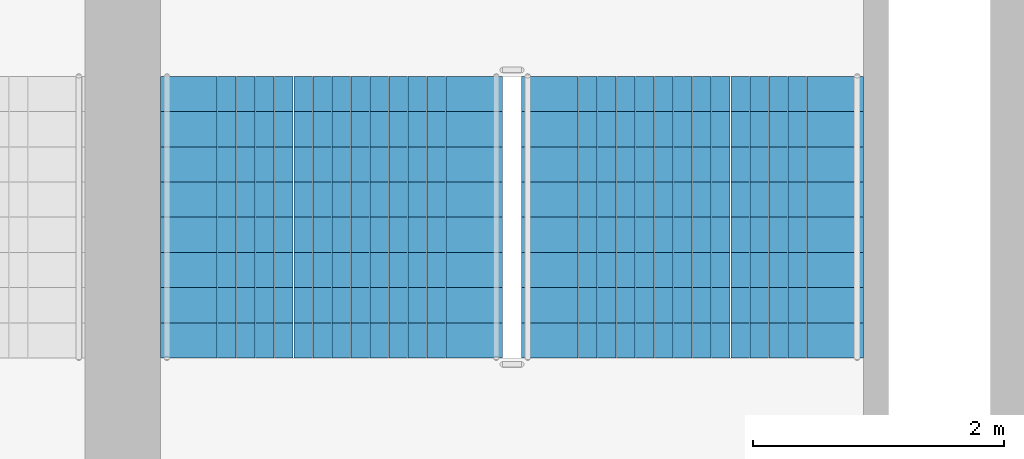
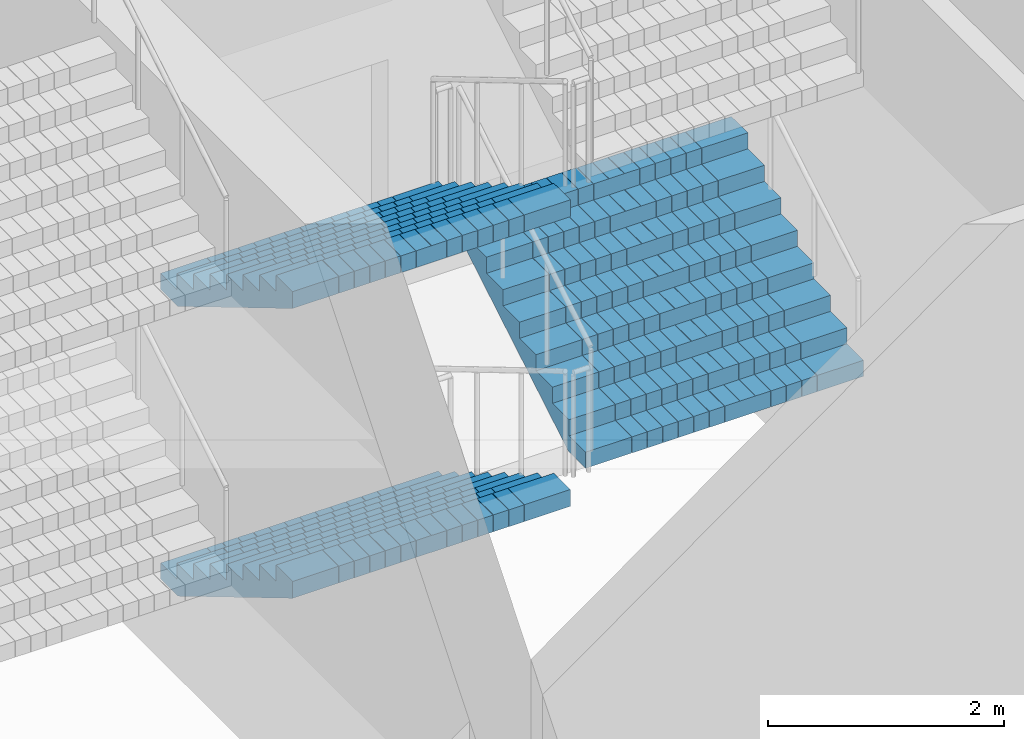
# One storey, part 41 of 61: 3 stair flights, 1 element without a shape of its own.
"""IFC4 building model written with IfcOpenShell, lengths in metres."""

from ifc_helpers import new_model, si_unit, direction, frame, origin, place, context, subcontext, project, spatial, polyline, outline, extrude, material, type_object, element, aggregate, save


model = new_model("IFC4")

# Units and contexts
model_context = context("Model", 3, precision=1e-05, world=origin(), true_north=direction((0.0, 1.0)))
body_context = subcontext(model_context, "Body", "Model", "MODEL_VIEW")
ifc_project = project(units=[si_unit("LENGTHUNIT", "METRE"), si_unit("AREAUNIT", "SQUARE_METRE"), si_unit("VOLUMEUNIT", "CUBIC_METRE"), si_unit("PLANEANGLEUNIT", "RADIAN"), si_unit("MASSUNIT", "GRAM", prefix="KILO")], contexts=[model_context])

# Site, building, storey
site_placement = place(None, origin())
site = spatial("IfcSite", under=ifc_project, at=site_placement, CompositionType="ELEMENT")
building_placement = place(site_placement, origin())
building = spatial("IfcBuilding", under=site, at=building_placement, Name="Corbelhall Arena Tower", CompositionType="ELEMENT")
storey_placement = place(building_placement, frame((0.0, 0.0, 31.0)))
storey = spatial("IfcBuildingStorey", under=building, at=storey_placement, Name="L04", CompositionType="ELEMENT", Elevation=31.0)

# Stair, stair flights
ifc_material = material(Name="Reinforced concrete C40/50", Category="concrete")
stair_type = type_object("IfcStairType", Name="AR-EXIT-STAIR", PredefinedType="HALF_TURN_STAIR", material=ifc_material)
stair_placement = place(storey_placement, origin())
stair = element("IfcStair", 1, at=stair_placement, inside=storey, type_object=stair_type, Name="L04 exit stair AS6", PredefinedType="HALF_TURN_STAIR")
stair_flight_type = type_object("IfcStairFlightType", Name="AR-EXIT-FLIGHT", PredefinedType="STRAIGHT", material=ifc_material)
stair_flight_1_placement = place(storey_placement, frame((42.159912109375, -27.320068359375, 0.0), z_axis=(0.0, 0.0, 1.0), x_axis=(0.0, -1.0, 0.0)))
stair_flight_1 = element("IfcStairFlight", 2, at=stair_flight_1_placement, type_object=stair_flight_type, Name="AS6 flight 1", NumberOfRisers=9, NumberOfTreads=8, PredefinedType="STRAIGHT", RiserHeight=0.166666667, TreadLength=0.28, context=body_context, shape_type="SweptSolid", body=[
    extrude(outline(polyline([(0.0, 0.0), (0.0, 0.166748046875), (0.280029296875, 0.166748046875), (0.280029296875, 0.333251953125), (0.56005859375, 0.333251953125), (0.56005859375, 0.5), (0.840087890625, 0.5), (0.840087890625, 0.666748046875), (1.1201171875, 0.666748046875), (1.1201171875, 0.833251953125), (1.39990234375, 0.833251953125), (1.39990234375, 1.0), (1.679931640625, 1.0), (1.679931640625, 1.166748046875), (1.9599609375, 1.166748046875), (1.9599609375, 1.333251953125), (2.239990234375, 1.333251953125), (2.239990234375, 1.5), (2.239990234375, 1.158935546875), (0.29296875, 0.0), (0.0, 0.0)])), frame((0.0, 1.35986328125, 0.0), z_axis=(0.0, -1.0, 0.0), x_axis=(1.0, 0.0, 0.0)), (0.0, 0.0, 1.0), 0.449951171875),
    extrude(outline(polyline([(0.0, 0.0), (0.0, 0.166748046875), (0.280029296875, 0.166748046875), (0.280029296875, 0.333251953125), (0.56005859375, 0.333251953125), (0.56005859375, 0.5), (0.840087890625, 0.5), (0.840087890625, 0.666748046875), (1.1201171875, 0.666748046875), (1.1201171875, 0.833251953125), (1.39990234375, 0.833251953125), (1.39990234375, 1.0), (1.679931640625, 1.0), (1.679931640625, 1.166748046875), (1.9599609375, 1.166748046875), (1.9599609375, 1.333251953125), (2.239990234375, 1.333251953125), (2.239990234375, 1.5), (2.239990234375, 1.158935546875), (0.29296875, 0.0), (0.0, 0.0)])), frame((0.0, 0.906005859375, 0.0), z_axis=(0.0, -1.0, 0.0), x_axis=(1.0, 0.0, 0.0)), (0.0, 0.0, 1.0), 0.147216796875),
    extrude(outline(polyline([(0.0, 0.0), (0.0, 0.166748046875), (0.280029296875, 0.166748046875), (0.280029296875, 0.333251953125), (0.56005859375, 0.333251953125), (0.56005859375, 0.5), (0.840087890625, 0.5), (0.840087890625, 0.666748046875), (1.1201171875, 0.666748046875), (1.1201171875, 0.833251953125), (1.39990234375, 0.833251953125), (1.39990234375, 1.0), (1.679931640625, 1.0), (1.679931640625, 1.166748046875), (1.9599609375, 1.166748046875), (1.9599609375, 1.333251953125), (2.239990234375, 1.333251953125), (2.239990234375, 1.5), (2.239990234375, 1.158935546875), (0.29296875, 0.0), (0.0, 0.0)])), frame((0.0, 0.754638671875, 0.0), z_axis=(0.0, -1.0, 0.0), x_axis=(1.0, 0.0, 0.0)), (0.0, 0.0, 1.0), 0.147216796875),
    extrude(outline(polyline([(0.0, 0.0), (0.0, 0.166748046875), (0.280029296875, 0.166748046875), (0.280029296875, 0.333251953125), (0.56005859375, 0.333251953125), (0.56005859375, 0.5), (0.840087890625, 0.5), (0.840087890625, 0.666748046875), (1.1201171875, 0.666748046875), (1.1201171875, 0.833251953125), (1.39990234375, 0.833251953125), (1.39990234375, 1.0), (1.679931640625, 1.0), (1.679931640625, 1.166748046875), (1.9599609375, 1.166748046875), (1.9599609375, 1.333251953125), (2.239990234375, 1.333251953125), (2.239990234375, 1.5), (2.239990234375, 1.158935546875), (0.29296875, 0.0), (0.0, 0.0)])), frame((0.0, 0.603271484375, 0.0), z_axis=(0.0, -1.0, 0.0), x_axis=(1.0, 0.0, 0.0)), (0.0, 0.0, 1.0), 0.147216796875),
    extrude(outline(polyline([(0.0, 0.0), (0.0, 0.166748046875), (0.280029296875, 0.166748046875), (0.280029296875, 0.333251953125), (0.56005859375, 0.333251953125), (0.56005859375, 0.5), (0.840087890625, 0.5), (0.840087890625, 0.666748046875), (1.1201171875, 0.666748046875), (1.1201171875, 0.833251953125), (1.39990234375, 0.833251953125), (1.39990234375, 1.0), (1.679931640625, 1.0), (1.679931640625, 1.166748046875), (1.9599609375, 1.166748046875), (1.9599609375, 1.333251953125), (2.239990234375, 1.333251953125), (2.239990234375, 1.5), (2.239990234375, 1.158935546875), (0.29296875, 0.0), (0.0, 0.0)])), frame((0.0, 0.451904296875, 0.0), z_axis=(0.0, -1.0, 0.0), x_axis=(1.0, 0.0, 0.0)), (0.0, 0.0, 1.0), 0.147216796875),
    extrude(outline(polyline([(0.0, 0.0), (0.0, 0.166748046875), (0.280029296875, 0.166748046875), (0.280029296875, 0.333251953125), (0.56005859375, 0.333251953125), (0.56005859375, 0.5), (0.840087890625, 0.5), (0.840087890625, 0.666748046875), (1.1201171875, 0.666748046875), (1.1201171875, 0.833251953125), (1.39990234375, 0.833251953125), (1.39990234375, 1.0), (1.679931640625, 1.0), (1.679931640625, 1.166748046875), (1.9599609375, 1.166748046875), (1.9599609375, 1.333251953125), (2.239990234375, 1.333251953125), (2.239990234375, 1.5), (2.239990234375, 1.158935546875), (0.29296875, 0.0), (0.0, 0.0)])), frame((0.0, 0.30078125, 0.0), z_axis=(0.0, -1.0, 0.0), x_axis=(1.0, 0.0, 0.0)), (0.0, 0.0, 1.0), 0.147216796875),
    extrude(outline(polyline([(0.0, 0.0), (0.0, 0.166748046875), (0.280029296875, 0.166748046875), (0.280029296875, 0.333251953125), (0.56005859375, 0.333251953125), (0.56005859375, 0.5), (0.840087890625, 0.5), (0.840087890625, 0.666748046875), (1.1201171875, 0.666748046875), (1.1201171875, 0.833251953125), (1.39990234375, 0.833251953125), (1.39990234375, 1.0), (1.679931640625, 1.0), (1.679931640625, 1.166748046875), (1.9599609375, 1.166748046875), (1.9599609375, 1.333251953125), (2.239990234375, 1.333251953125), (2.239990234375, 1.5), (2.239990234375, 1.158935546875), (0.29296875, 0.0), (0.0, 0.0)])), frame((0.0, 0.1494140625, 0.0), z_axis=(0.0, -1.0, 0.0), x_axis=(1.0, 0.0, 0.0)), (0.0, 0.0, 1.0), 0.147216796875),
    extrude(outline(polyline([(0.0, 0.0), (0.0, 0.166748046875), (0.280029296875, 0.166748046875), (0.280029296875, 0.333251953125), (0.56005859375, 0.333251953125), (0.56005859375, 0.5), (0.840087890625, 0.5), (0.840087890625, 0.666748046875), (1.1201171875, 0.666748046875), (1.1201171875, 0.833251953125), (1.39990234375, 0.833251953125), (1.39990234375, 1.0), (1.679931640625, 1.0), (1.679931640625, 1.166748046875), (1.9599609375, 1.166748046875), (1.9599609375, 1.333251953125), (2.239990234375, 1.333251953125), (2.239990234375, 1.5), (2.239990234375, 1.158935546875), (0.29296875, 0.0), (0.0, 0.0)])), frame((0.0, -0.001953125, 0.0), z_axis=(0.0, -1.0, 0.0), x_axis=(1.0, 0.0, 0.0)), (0.0, 0.0, 1.0), 0.147216796875),
    extrude(outline(polyline([(0.0, 0.0), (0.0, 0.166748046875), (0.280029296875, 0.166748046875), (0.280029296875, 0.333251953125), (0.56005859375, 0.333251953125), (0.56005859375, 0.5), (0.840087890625, 0.5), (0.840087890625, 0.666748046875), (1.1201171875, 0.666748046875), (1.1201171875, 0.833251953125), (1.39990234375, 0.833251953125), (1.39990234375, 1.0), (1.679931640625, 1.0), (1.679931640625, 1.166748046875), (1.9599609375, 1.166748046875), (1.9599609375, 1.333251953125), (2.239990234375, 1.333251953125), (2.239990234375, 1.5), (2.239990234375, 1.158935546875), (0.29296875, 0.0), (0.0, 0.0)])), frame((0.0, -0.1533203125, 0.0), z_axis=(0.0, -1.0, 0.0), x_axis=(1.0, 0.0, 0.0)), (0.0, 0.0, 1.0), 0.147216796875),
    extrude(outline(polyline([(0.0, 0.0), (0.0, 0.166748046875), (0.280029296875, 0.166748046875), (0.280029296875, 0.333251953125), (0.56005859375, 0.333251953125), (0.56005859375, 0.5), (0.840087890625, 0.5), (0.840087890625, 0.666748046875), (1.1201171875, 0.666748046875), (1.1201171875, 0.833251953125), (1.39990234375, 0.833251953125), (1.39990234375, 1.0), (1.679931640625, 1.0), (1.679931640625, 1.166748046875), (1.9599609375, 1.166748046875), (1.9599609375, 1.333251953125), (2.239990234375, 1.333251953125), (2.239990234375, 1.5), (2.239990234375, 1.158935546875), (0.29296875, 0.0), (0.0, 0.0)])), frame((0.0, -0.3046875, 0.0), z_axis=(0.0, -1.0, 0.0), x_axis=(1.0, 0.0, 0.0)), (0.0, 0.0, 1.0), 0.147216796875),
    extrude(outline(polyline([(0.0, 0.0), (0.0, 0.166748046875), (0.280029296875, 0.166748046875), (0.280029296875, 0.333251953125), (0.56005859375, 0.333251953125), (0.56005859375, 0.5), (0.840087890625, 0.5), (0.840087890625, 0.666748046875), (1.1201171875, 0.666748046875), (1.1201171875, 0.833251953125), (1.39990234375, 0.833251953125), (1.39990234375, 1.0), (1.679931640625, 1.0), (1.679931640625, 1.166748046875), (1.9599609375, 1.166748046875), (1.9599609375, 1.333251953125), (2.239990234375, 1.333251953125), (2.239990234375, 1.5), (2.239990234375, 1.158935546875), (0.29296875, 0.0), (0.0, 0.0)])), frame((0.0, -0.4560546875, 0.0), z_axis=(0.0, -1.0, 0.0), x_axis=(1.0, 0.0, 0.0)), (0.0, 0.0, 1.0), 0.147216796875),
    extrude(outline(polyline([(0.0, 0.0), (0.0, 0.166748046875), (0.280029296875, 0.166748046875), (0.280029296875, 0.333251953125), (0.56005859375, 0.333251953125), (0.56005859375, 0.5), (0.840087890625, 0.5), (0.840087890625, 0.666748046875), (1.1201171875, 0.666748046875), (1.1201171875, 0.833251953125), (1.39990234375, 0.833251953125), (1.39990234375, 1.0), (1.679931640625, 1.0), (1.679931640625, 1.166748046875), (1.9599609375, 1.166748046875), (1.9599609375, 1.333251953125), (2.239990234375, 1.333251953125), (2.239990234375, 1.5), (2.239990234375, 1.158935546875), (0.29296875, 0.0), (0.0, 0.0)])), frame((0.0, -0.607421875, 0.0), z_axis=(0.0, -1.0, 0.0), x_axis=(1.0, 0.0, 0.0)), (0.0, 0.0, 1.0), 0.147216796875),
    extrude(outline(polyline([(0.0, 0.0), (0.0, 0.166748046875), (0.280029296875, 0.166748046875), (0.280029296875, 0.333251953125), (0.56005859375, 0.333251953125), (0.56005859375, 0.5), (0.840087890625, 0.5), (0.840087890625, 0.666748046875), (1.1201171875, 0.666748046875), (1.1201171875, 0.833251953125), (1.39990234375, 0.833251953125), (1.39990234375, 1.0), (1.679931640625, 1.0), (1.679931640625, 1.166748046875), (1.9599609375, 1.166748046875), (1.9599609375, 1.333251953125), (2.239990234375, 1.333251953125), (2.239990234375, 1.5), (2.239990234375, 1.158935546875), (0.29296875, 0.0), (0.0, 0.0)])), frame((0.0, -0.758544921875, 0.0), z_axis=(0.0, -1.0, 0.0), x_axis=(1.0, 0.0, 0.0)), (0.0, 0.0, 1.0), 0.147216796875),
    extrude(outline(polyline([(0.0, 0.0), (0.0, 0.166748046875), (0.280029296875, 0.166748046875), (0.280029296875, 0.333251953125), (0.56005859375, 0.333251953125), (0.56005859375, 0.5), (0.840087890625, 0.5), (0.840087890625, 0.666748046875), (1.1201171875, 0.666748046875), (1.1201171875, 0.833251953125), (1.39990234375, 0.833251953125), (1.39990234375, 1.0), (1.679931640625, 1.0), (1.679931640625, 1.166748046875), (1.9599609375, 1.166748046875), (1.9599609375, 1.333251953125), (2.239990234375, 1.333251953125), (2.239990234375, 1.5), (2.239990234375, 1.158935546875), (0.29296875, 0.0), (0.0, 0.0)])), frame((0.0, -0.909912109375, 0.0), z_axis=(0.0, -1.0, 0.0), x_axis=(1.0, 0.0, 0.0)), (0.0, 0.0, 1.0), 0.449951171875),
])
stair_flight_2_placement = place(storey_placement, frame((45.030029296875, -29.56005859375, 1.5), z_axis=(0.0, 0.0, 1.0), x_axis=(0.0, 1.0, 0.0)))
stair_flight_2 = element("IfcStairFlight", 3, at=stair_flight_2_placement, type_object=stair_flight_type, Name="AS6 flight 2", NumberOfRisers=9, NumberOfTreads=8, PredefinedType="STRAIGHT", RiserHeight=0.166666667, TreadLength=0.28, context=body_context, shape_type="SweptSolid", body=[
    extrude(outline(polyline([(0.0, 0.0), (0.0, 0.166748046875), (0.280029296875, 0.166748046875), (0.280029296875, 0.333251953125), (0.56005859375, 0.333251953125), (0.56005859375, 0.5), (0.840087890625, 0.5), (0.840087890625, 0.666748046875), (1.1201171875, 0.666748046875), (1.1201171875, 0.833251953125), (1.39990234375, 0.833251953125), (1.39990234375, 1.0), (1.679931640625, 1.0), (1.679931640625, 1.166748046875), (1.9599609375, 1.166748046875), (1.9599609375, 1.333251953125), (2.239990234375, 1.333251953125), (2.239990234375, 1.5), (2.239990234375, 1.158935546875), (0.29296875, 0.0), (0.0, 0.0)])), frame((0.0, 1.35986328125, 0.0), z_axis=(0.0, -1.0, 0.0), x_axis=(1.0, 0.0, 0.0)), (0.0, 0.0, 1.0), 0.449951171875),
    extrude(outline(polyline([(0.0, 0.0), (0.0, 0.166748046875), (0.280029296875, 0.166748046875), (0.280029296875, 0.333251953125), (0.56005859375, 0.333251953125), (0.56005859375, 0.5), (0.840087890625, 0.5), (0.840087890625, 0.666748046875), (1.1201171875, 0.666748046875), (1.1201171875, 0.833251953125), (1.39990234375, 0.833251953125), (1.39990234375, 1.0), (1.679931640625, 1.0), (1.679931640625, 1.166748046875), (1.9599609375, 1.166748046875), (1.9599609375, 1.333251953125), (2.239990234375, 1.333251953125), (2.239990234375, 1.5), (2.239990234375, 1.158935546875), (0.29296875, 0.0), (0.0, 0.0)])), frame((0.0, 0.906005859375, 0.0), z_axis=(0.0, -1.0, 0.0), x_axis=(1.0, 0.0, 0.0)), (0.0, 0.0, 1.0), 0.147216796875),
    extrude(outline(polyline([(0.0, 0.0), (0.0, 0.166748046875), (0.280029296875, 0.166748046875), (0.280029296875, 0.333251953125), (0.56005859375, 0.333251953125), (0.56005859375, 0.5), (0.840087890625, 0.5), (0.840087890625, 0.666748046875), (1.1201171875, 0.666748046875), (1.1201171875, 0.833251953125), (1.39990234375, 0.833251953125), (1.39990234375, 1.0), (1.679931640625, 1.0), (1.679931640625, 1.166748046875), (1.9599609375, 1.166748046875), (1.9599609375, 1.333251953125), (2.239990234375, 1.333251953125), (2.239990234375, 1.5), (2.239990234375, 1.158935546875), (0.29296875, 0.0), (0.0, 0.0)])), frame((0.0, 0.754638671875, 0.0), z_axis=(0.0, -1.0, 0.0), x_axis=(1.0, 0.0, 0.0)), (0.0, 0.0, 1.0), 0.147216796875),
    extrude(outline(polyline([(0.0, 0.0), (0.0, 0.166748046875), (0.280029296875, 0.166748046875), (0.280029296875, 0.333251953125), (0.56005859375, 0.333251953125), (0.56005859375, 0.5), (0.840087890625, 0.5), (0.840087890625, 0.666748046875), (1.1201171875, 0.666748046875), (1.1201171875, 0.833251953125), (1.39990234375, 0.833251953125), (1.39990234375, 1.0), (1.679931640625, 1.0), (1.679931640625, 1.166748046875), (1.9599609375, 1.166748046875), (1.9599609375, 1.333251953125), (2.239990234375, 1.333251953125), (2.239990234375, 1.5), (2.239990234375, 1.158935546875), (0.29296875, 0.0), (0.0, 0.0)])), frame((0.0, 0.603271484375, 0.0), z_axis=(0.0, -1.0, 0.0), x_axis=(1.0, 0.0, 0.0)), (0.0, 0.0, 1.0), 0.147216796875),
    extrude(outline(polyline([(0.0, 0.0), (0.0, 0.166748046875), (0.280029296875, 0.166748046875), (0.280029296875, 0.333251953125), (0.56005859375, 0.333251953125), (0.56005859375, 0.5), (0.840087890625, 0.5), (0.840087890625, 0.666748046875), (1.1201171875, 0.666748046875), (1.1201171875, 0.833251953125), (1.39990234375, 0.833251953125), (1.39990234375, 1.0), (1.679931640625, 1.0), (1.679931640625, 1.166748046875), (1.9599609375, 1.166748046875), (1.9599609375, 1.333251953125), (2.239990234375, 1.333251953125), (2.239990234375, 1.5), (2.239990234375, 1.158935546875), (0.29296875, 0.0), (0.0, 0.0)])), frame((0.0, 0.451904296875, 0.0), z_axis=(0.0, -1.0, 0.0), x_axis=(1.0, 0.0, 0.0)), (0.0, 0.0, 1.0), 0.147216796875),
    extrude(outline(polyline([(0.0, 0.0), (0.0, 0.166748046875), (0.280029296875, 0.166748046875), (0.280029296875, 0.333251953125), (0.56005859375, 0.333251953125), (0.56005859375, 0.5), (0.840087890625, 0.5), (0.840087890625, 0.666748046875), (1.1201171875, 0.666748046875), (1.1201171875, 0.833251953125), (1.39990234375, 0.833251953125), (1.39990234375, 1.0), (1.679931640625, 1.0), (1.679931640625, 1.166748046875), (1.9599609375, 1.166748046875), (1.9599609375, 1.333251953125), (2.239990234375, 1.333251953125), (2.239990234375, 1.5), (2.239990234375, 1.158935546875), (0.29296875, 0.0), (0.0, 0.0)])), frame((0.0, 0.30078125, 0.0), z_axis=(0.0, -1.0, 0.0), x_axis=(1.0, 0.0, 0.0)), (0.0, 0.0, 1.0), 0.147216796875),
    extrude(outline(polyline([(0.0, 0.0), (0.0, 0.166748046875), (0.280029296875, 0.166748046875), (0.280029296875, 0.333251953125), (0.56005859375, 0.333251953125), (0.56005859375, 0.5), (0.840087890625, 0.5), (0.840087890625, 0.666748046875), (1.1201171875, 0.666748046875), (1.1201171875, 0.833251953125), (1.39990234375, 0.833251953125), (1.39990234375, 1.0), (1.679931640625, 1.0), (1.679931640625, 1.166748046875), (1.9599609375, 1.166748046875), (1.9599609375, 1.333251953125), (2.239990234375, 1.333251953125), (2.239990234375, 1.5), (2.239990234375, 1.158935546875), (0.29296875, 0.0), (0.0, 0.0)])), frame((0.0, 0.1494140625, 0.0), z_axis=(0.0, -1.0, 0.0), x_axis=(1.0, 0.0, 0.0)), (0.0, 0.0, 1.0), 0.147216796875),
    extrude(outline(polyline([(0.0, 0.0), (0.0, 0.166748046875), (0.280029296875, 0.166748046875), (0.280029296875, 0.333251953125), (0.56005859375, 0.333251953125), (0.56005859375, 0.5), (0.840087890625, 0.5), (0.840087890625, 0.666748046875), (1.1201171875, 0.666748046875), (1.1201171875, 0.833251953125), (1.39990234375, 0.833251953125), (1.39990234375, 1.0), (1.679931640625, 1.0), (1.679931640625, 1.166748046875), (1.9599609375, 1.166748046875), (1.9599609375, 1.333251953125), (2.239990234375, 1.333251953125), (2.239990234375, 1.5), (2.239990234375, 1.158935546875), (0.29296875, 0.0), (0.0, 0.0)])), frame((0.0, -0.001953125, 0.0), z_axis=(0.0, -1.0, 0.0), x_axis=(1.0, 0.0, 0.0)), (0.0, 0.0, 1.0), 0.147216796875),
    extrude(outline(polyline([(0.0, 0.0), (0.0, 0.166748046875), (0.280029296875, 0.166748046875), (0.280029296875, 0.333251953125), (0.56005859375, 0.333251953125), (0.56005859375, 0.5), (0.840087890625, 0.5), (0.840087890625, 0.666748046875), (1.1201171875, 0.666748046875), (1.1201171875, 0.833251953125), (1.39990234375, 0.833251953125), (1.39990234375, 1.0), (1.679931640625, 1.0), (1.679931640625, 1.166748046875), (1.9599609375, 1.166748046875), (1.9599609375, 1.333251953125), (2.239990234375, 1.333251953125), (2.239990234375, 1.5), (2.239990234375, 1.158935546875), (0.29296875, 0.0), (0.0, 0.0)])), frame((0.0, -0.1533203125, 0.0), z_axis=(0.0, -1.0, 0.0), x_axis=(1.0, 0.0, 0.0)), (0.0, 0.0, 1.0), 0.147216796875),
    extrude(outline(polyline([(0.0, 0.0), (0.0, 0.166748046875), (0.280029296875, 0.166748046875), (0.280029296875, 0.333251953125), (0.56005859375, 0.333251953125), (0.56005859375, 0.5), (0.840087890625, 0.5), (0.840087890625, 0.666748046875), (1.1201171875, 0.666748046875), (1.1201171875, 0.833251953125), (1.39990234375, 0.833251953125), (1.39990234375, 1.0), (1.679931640625, 1.0), (1.679931640625, 1.166748046875), (1.9599609375, 1.166748046875), (1.9599609375, 1.333251953125), (2.239990234375, 1.333251953125), (2.239990234375, 1.5), (2.239990234375, 1.158935546875), (0.29296875, 0.0), (0.0, 0.0)])), frame((0.0, -0.3046875, 0.0), z_axis=(0.0, -1.0, 0.0), x_axis=(1.0, 0.0, 0.0)), (0.0, 0.0, 1.0), 0.147216796875),
    extrude(outline(polyline([(0.0, 0.0), (0.0, 0.166748046875), (0.280029296875, 0.166748046875), (0.280029296875, 0.333251953125), (0.56005859375, 0.333251953125), (0.56005859375, 0.5), (0.840087890625, 0.5), (0.840087890625, 0.666748046875), (1.1201171875, 0.666748046875), (1.1201171875, 0.833251953125), (1.39990234375, 0.833251953125), (1.39990234375, 1.0), (1.679931640625, 1.0), (1.679931640625, 1.166748046875), (1.9599609375, 1.166748046875), (1.9599609375, 1.333251953125), (2.239990234375, 1.333251953125), (2.239990234375, 1.5), (2.239990234375, 1.158935546875), (0.29296875, 0.0), (0.0, 0.0)])), frame((0.0, -0.4560546875, 0.0), z_axis=(0.0, -1.0, 0.0), x_axis=(1.0, 0.0, 0.0)), (0.0, 0.0, 1.0), 0.147216796875),
    extrude(outline(polyline([(0.0, 0.0), (0.0, 0.166748046875), (0.280029296875, 0.166748046875), (0.280029296875, 0.333251953125), (0.56005859375, 0.333251953125), (0.56005859375, 0.5), (0.840087890625, 0.5), (0.840087890625, 0.666748046875), (1.1201171875, 0.666748046875), (1.1201171875, 0.833251953125), (1.39990234375, 0.833251953125), (1.39990234375, 1.0), (1.679931640625, 1.0), (1.679931640625, 1.166748046875), (1.9599609375, 1.166748046875), (1.9599609375, 1.333251953125), (2.239990234375, 1.333251953125), (2.239990234375, 1.5), (2.239990234375, 1.158935546875), (0.29296875, 0.0), (0.0, 0.0)])), frame((0.0, -0.607421875, 0.0), z_axis=(0.0, -1.0, 0.0), x_axis=(1.0, 0.0, 0.0)), (0.0, 0.0, 1.0), 0.147216796875),
    extrude(outline(polyline([(0.0, 0.0), (0.0, 0.166748046875), (0.280029296875, 0.166748046875), (0.280029296875, 0.333251953125), (0.56005859375, 0.333251953125), (0.56005859375, 0.5), (0.840087890625, 0.5), (0.840087890625, 0.666748046875), (1.1201171875, 0.666748046875), (1.1201171875, 0.833251953125), (1.39990234375, 0.833251953125), (1.39990234375, 1.0), (1.679931640625, 1.0), (1.679931640625, 1.166748046875), (1.9599609375, 1.166748046875), (1.9599609375, 1.333251953125), (2.239990234375, 1.333251953125), (2.239990234375, 1.5), (2.239990234375, 1.158935546875), (0.29296875, 0.0), (0.0, 0.0)])), frame((0.0, -0.758544921875, 0.0), z_axis=(0.0, -1.0, 0.0), x_axis=(1.0, 0.0, 0.0)), (0.0, 0.0, 1.0), 0.147216796875),
    extrude(outline(polyline([(0.0, 0.0), (0.0, 0.166748046875), (0.280029296875, 0.166748046875), (0.280029296875, 0.333251953125), (0.56005859375, 0.333251953125), (0.56005859375, 0.5), (0.840087890625, 0.5), (0.840087890625, 0.666748046875), (1.1201171875, 0.666748046875), (1.1201171875, 0.833251953125), (1.39990234375, 0.833251953125), (1.39990234375, 1.0), (1.679931640625, 1.0), (1.679931640625, 1.166748046875), (1.9599609375, 1.166748046875), (1.9599609375, 1.333251953125), (2.239990234375, 1.333251953125), (2.239990234375, 1.5), (2.239990234375, 1.158935546875), (0.29296875, 0.0), (0.0, 0.0)])), frame((0.0, -0.909912109375, 0.0), z_axis=(0.0, -1.0, 0.0), x_axis=(1.0, 0.0, 0.0)), (0.0, 0.0, 1.0), 0.449951171875),
])
stair_flight_3_placement = place(storey_placement, frame((42.159912109375, -27.320068359375, 3.0), z_axis=(0.0, 0.0, 1.0), x_axis=(0.0, -1.0, 0.0)))
stair_flight_3 = element("IfcStairFlight", 4, at=stair_flight_3_placement, type_object=stair_flight_type, Name="AS6 flight 3", NumberOfRisers=9, NumberOfTreads=8, PredefinedType="STRAIGHT", RiserHeight=0.166666667, TreadLength=0.28, context=body_context, shape_type="SweptSolid", body=[
    extrude(outline(polyline([(0.0, 0.0), (0.0, 0.166748046875), (0.280029296875, 0.166748046875), (0.280029296875, 0.333251953125), (0.56005859375, 0.333251953125), (0.56005859375, 0.5), (0.840087890625, 0.5), (0.840087890625, 0.666748046875), (1.1201171875, 0.666748046875), (1.1201171875, 0.833251953125), (1.39990234375, 0.833251953125), (1.39990234375, 1.0), (1.679931640625, 1.0), (1.679931640625, 1.166748046875), (1.9599609375, 1.166748046875), (1.9599609375, 1.333251953125), (2.239990234375, 1.333251953125), (2.239990234375, 1.5), (2.239990234375, 1.158935546875), (0.29296875, 0.0), (0.0, 0.0)])), frame((0.0, 1.35986328125, 0.0), z_axis=(0.0, -1.0, 0.0), x_axis=(1.0, 0.0, 0.0)), (0.0, 0.0, 1.0), 0.449951171875),
    extrude(outline(polyline([(0.0, 0.0), (0.0, 0.166748046875), (0.280029296875, 0.166748046875), (0.280029296875, 0.333251953125), (0.56005859375, 0.333251953125), (0.56005859375, 0.5), (0.840087890625, 0.5), (0.840087890625, 0.666748046875), (1.1201171875, 0.666748046875), (1.1201171875, 0.833251953125), (1.39990234375, 0.833251953125), (1.39990234375, 1.0), (1.679931640625, 1.0), (1.679931640625, 1.166748046875), (1.9599609375, 1.166748046875), (1.9599609375, 1.333251953125), (2.239990234375, 1.333251953125), (2.239990234375, 1.5), (2.239990234375, 1.158935546875), (0.29296875, 0.0), (0.0, 0.0)])), frame((0.0, 0.906005859375, 0.0), z_axis=(0.0, -1.0, 0.0), x_axis=(1.0, 0.0, 0.0)), (0.0, 0.0, 1.0), 0.147216796875),
    extrude(outline(polyline([(0.0, 0.0), (0.0, 0.166748046875), (0.280029296875, 0.166748046875), (0.280029296875, 0.333251953125), (0.56005859375, 0.333251953125), (0.56005859375, 0.5), (0.840087890625, 0.5), (0.840087890625, 0.666748046875), (1.1201171875, 0.666748046875), (1.1201171875, 0.833251953125), (1.39990234375, 0.833251953125), (1.39990234375, 1.0), (1.679931640625, 1.0), (1.679931640625, 1.166748046875), (1.9599609375, 1.166748046875), (1.9599609375, 1.333251953125), (2.239990234375, 1.333251953125), (2.239990234375, 1.5), (2.239990234375, 1.158935546875), (0.29296875, 0.0), (0.0, 0.0)])), frame((0.0, 0.754638671875, 0.0), z_axis=(0.0, -1.0, 0.0), x_axis=(1.0, 0.0, 0.0)), (0.0, 0.0, 1.0), 0.147216796875),
    extrude(outline(polyline([(0.0, 0.0), (0.0, 0.166748046875), (0.280029296875, 0.166748046875), (0.280029296875, 0.333251953125), (0.56005859375, 0.333251953125), (0.56005859375, 0.5), (0.840087890625, 0.5), (0.840087890625, 0.666748046875), (1.1201171875, 0.666748046875), (1.1201171875, 0.833251953125), (1.39990234375, 0.833251953125), (1.39990234375, 1.0), (1.679931640625, 1.0), (1.679931640625, 1.166748046875), (1.9599609375, 1.166748046875), (1.9599609375, 1.333251953125), (2.239990234375, 1.333251953125), (2.239990234375, 1.5), (2.239990234375, 1.158935546875), (0.29296875, 0.0), (0.0, 0.0)])), frame((0.0, 0.603271484375, 0.0), z_axis=(0.0, -1.0, 0.0), x_axis=(1.0, 0.0, 0.0)), (0.0, 0.0, 1.0), 0.147216796875),
    extrude(outline(polyline([(0.0, 0.0), (0.0, 0.166748046875), (0.280029296875, 0.166748046875), (0.280029296875, 0.333251953125), (0.56005859375, 0.333251953125), (0.56005859375, 0.5), (0.840087890625, 0.5), (0.840087890625, 0.666748046875), (1.1201171875, 0.666748046875), (1.1201171875, 0.833251953125), (1.39990234375, 0.833251953125), (1.39990234375, 1.0), (1.679931640625, 1.0), (1.679931640625, 1.166748046875), (1.9599609375, 1.166748046875), (1.9599609375, 1.333251953125), (2.239990234375, 1.333251953125), (2.239990234375, 1.5), (2.239990234375, 1.158935546875), (0.29296875, 0.0), (0.0, 0.0)])), frame((0.0, 0.451904296875, 0.0), z_axis=(0.0, -1.0, 0.0), x_axis=(1.0, 0.0, 0.0)), (0.0, 0.0, 1.0), 0.147216796875),
    extrude(outline(polyline([(0.0, 0.0), (0.0, 0.166748046875), (0.280029296875, 0.166748046875), (0.280029296875, 0.333251953125), (0.56005859375, 0.333251953125), (0.56005859375, 0.5), (0.840087890625, 0.5), (0.840087890625, 0.666748046875), (1.1201171875, 0.666748046875), (1.1201171875, 0.833251953125), (1.39990234375, 0.833251953125), (1.39990234375, 1.0), (1.679931640625, 1.0), (1.679931640625, 1.166748046875), (1.9599609375, 1.166748046875), (1.9599609375, 1.333251953125), (2.239990234375, 1.333251953125), (2.239990234375, 1.5), (2.239990234375, 1.158935546875), (0.29296875, 0.0), (0.0, 0.0)])), frame((0.0, 0.30078125, 0.0), z_axis=(0.0, -1.0, 0.0), x_axis=(1.0, 0.0, 0.0)), (0.0, 0.0, 1.0), 0.147216796875),
    extrude(outline(polyline([(0.0, 0.0), (0.0, 0.166748046875), (0.280029296875, 0.166748046875), (0.280029296875, 0.333251953125), (0.56005859375, 0.333251953125), (0.56005859375, 0.5), (0.840087890625, 0.5), (0.840087890625, 0.666748046875), (1.1201171875, 0.666748046875), (1.1201171875, 0.833251953125), (1.39990234375, 0.833251953125), (1.39990234375, 1.0), (1.679931640625, 1.0), (1.679931640625, 1.166748046875), (1.9599609375, 1.166748046875), (1.9599609375, 1.333251953125), (2.239990234375, 1.333251953125), (2.239990234375, 1.5), (2.239990234375, 1.158935546875), (0.29296875, 0.0), (0.0, 0.0)])), frame((0.0, 0.1494140625, 0.0), z_axis=(0.0, -1.0, 0.0), x_axis=(1.0, 0.0, 0.0)), (0.0, 0.0, 1.0), 0.147216796875),
    extrude(outline(polyline([(0.0, 0.0), (0.0, 0.166748046875), (0.280029296875, 0.166748046875), (0.280029296875, 0.333251953125), (0.56005859375, 0.333251953125), (0.56005859375, 0.5), (0.840087890625, 0.5), (0.840087890625, 0.666748046875), (1.1201171875, 0.666748046875), (1.1201171875, 0.833251953125), (1.39990234375, 0.833251953125), (1.39990234375, 1.0), (1.679931640625, 1.0), (1.679931640625, 1.166748046875), (1.9599609375, 1.166748046875), (1.9599609375, 1.333251953125), (2.239990234375, 1.333251953125), (2.239990234375, 1.5), (2.239990234375, 1.158935546875), (0.29296875, 0.0), (0.0, 0.0)])), frame((0.0, -0.001953125, 0.0), z_axis=(0.0, -1.0, 0.0), x_axis=(1.0, 0.0, 0.0)), (0.0, 0.0, 1.0), 0.147216796875),
    extrude(outline(polyline([(0.0, 0.0), (0.0, 0.166748046875), (0.280029296875, 0.166748046875), (0.280029296875, 0.333251953125), (0.56005859375, 0.333251953125), (0.56005859375, 0.5), (0.840087890625, 0.5), (0.840087890625, 0.666748046875), (1.1201171875, 0.666748046875), (1.1201171875, 0.833251953125), (1.39990234375, 0.833251953125), (1.39990234375, 1.0), (1.679931640625, 1.0), (1.679931640625, 1.166748046875), (1.9599609375, 1.166748046875), (1.9599609375, 1.333251953125), (2.239990234375, 1.333251953125), (2.239990234375, 1.5), (2.239990234375, 1.158935546875), (0.29296875, 0.0), (0.0, 0.0)])), frame((0.0, -0.1533203125, 0.0), z_axis=(0.0, -1.0, 0.0), x_axis=(1.0, 0.0, 0.0)), (0.0, 0.0, 1.0), 0.147216796875),
    extrude(outline(polyline([(0.0, 0.0), (0.0, 0.166748046875), (0.280029296875, 0.166748046875), (0.280029296875, 0.333251953125), (0.56005859375, 0.333251953125), (0.56005859375, 0.5), (0.840087890625, 0.5), (0.840087890625, 0.666748046875), (1.1201171875, 0.666748046875), (1.1201171875, 0.833251953125), (1.39990234375, 0.833251953125), (1.39990234375, 1.0), (1.679931640625, 1.0), (1.679931640625, 1.166748046875), (1.9599609375, 1.166748046875), (1.9599609375, 1.333251953125), (2.239990234375, 1.333251953125), (2.239990234375, 1.5), (2.239990234375, 1.158935546875), (0.29296875, 0.0), (0.0, 0.0)])), frame((0.0, -0.3046875, 0.0), z_axis=(0.0, -1.0, 0.0), x_axis=(1.0, 0.0, 0.0)), (0.0, 0.0, 1.0), 0.147216796875),
    extrude(outline(polyline([(0.0, 0.0), (0.0, 0.166748046875), (0.280029296875, 0.166748046875), (0.280029296875, 0.333251953125), (0.56005859375, 0.333251953125), (0.56005859375, 0.5), (0.840087890625, 0.5), (0.840087890625, 0.666748046875), (1.1201171875, 0.666748046875), (1.1201171875, 0.833251953125), (1.39990234375, 0.833251953125), (1.39990234375, 1.0), (1.679931640625, 1.0), (1.679931640625, 1.166748046875), (1.9599609375, 1.166748046875), (1.9599609375, 1.333251953125), (2.239990234375, 1.333251953125), (2.239990234375, 1.5), (2.239990234375, 1.158935546875), (0.29296875, 0.0), (0.0, 0.0)])), frame((0.0, -0.4560546875, 0.0), z_axis=(0.0, -1.0, 0.0), x_axis=(1.0, 0.0, 0.0)), (0.0, 0.0, 1.0), 0.147216796875),
    extrude(outline(polyline([(0.0, 0.0), (0.0, 0.166748046875), (0.280029296875, 0.166748046875), (0.280029296875, 0.333251953125), (0.56005859375, 0.333251953125), (0.56005859375, 0.5), (0.840087890625, 0.5), (0.840087890625, 0.666748046875), (1.1201171875, 0.666748046875), (1.1201171875, 0.833251953125), (1.39990234375, 0.833251953125), (1.39990234375, 1.0), (1.679931640625, 1.0), (1.679931640625, 1.166748046875), (1.9599609375, 1.166748046875), (1.9599609375, 1.333251953125), (2.239990234375, 1.333251953125), (2.239990234375, 1.5), (2.239990234375, 1.158935546875), (0.29296875, 0.0), (0.0, 0.0)])), frame((0.0, -0.607421875, 0.0), z_axis=(0.0, -1.0, 0.0), x_axis=(1.0, 0.0, 0.0)), (0.0, 0.0, 1.0), 0.147216796875),
    extrude(outline(polyline([(0.0, 0.0), (0.0, 0.166748046875), (0.280029296875, 0.166748046875), (0.280029296875, 0.333251953125), (0.56005859375, 0.333251953125), (0.56005859375, 0.5), (0.840087890625, 0.5), (0.840087890625, 0.666748046875), (1.1201171875, 0.666748046875), (1.1201171875, 0.833251953125), (1.39990234375, 0.833251953125), (1.39990234375, 1.0), (1.679931640625, 1.0), (1.679931640625, 1.166748046875), (1.9599609375, 1.166748046875), (1.9599609375, 1.333251953125), (2.239990234375, 1.333251953125), (2.239990234375, 1.5), (2.239990234375, 1.158935546875), (0.29296875, 0.0), (0.0, 0.0)])), frame((0.0, -0.758544921875, 0.0), z_axis=(0.0, -1.0, 0.0), x_axis=(1.0, 0.0, 0.0)), (0.0, 0.0, 1.0), 0.147216796875),
    extrude(outline(polyline([(0.0, 0.0), (0.0, 0.166748046875), (0.280029296875, 0.166748046875), (0.280029296875, 0.333251953125), (0.56005859375, 0.333251953125), (0.56005859375, 0.5), (0.840087890625, 0.5), (0.840087890625, 0.666748046875), (1.1201171875, 0.666748046875), (1.1201171875, 0.833251953125), (1.39990234375, 0.833251953125), (1.39990234375, 1.0), (1.679931640625, 1.0), (1.679931640625, 1.166748046875), (1.9599609375, 1.166748046875), (1.9599609375, 1.333251953125), (2.239990234375, 1.333251953125), (2.239990234375, 1.5), (2.239990234375, 1.158935546875), (0.29296875, 0.0), (0.0, 0.0)])), frame((0.0, -0.909912109375, 0.0), z_axis=(0.0, -1.0, 0.0), x_axis=(1.0, 0.0, 0.0)), (0.0, 0.0, 1.0), 0.449951171875),
])
aggregate(stair, [stair_flight_1, stair_flight_2, stair_flight_3])

save(model, "model.ifc")
